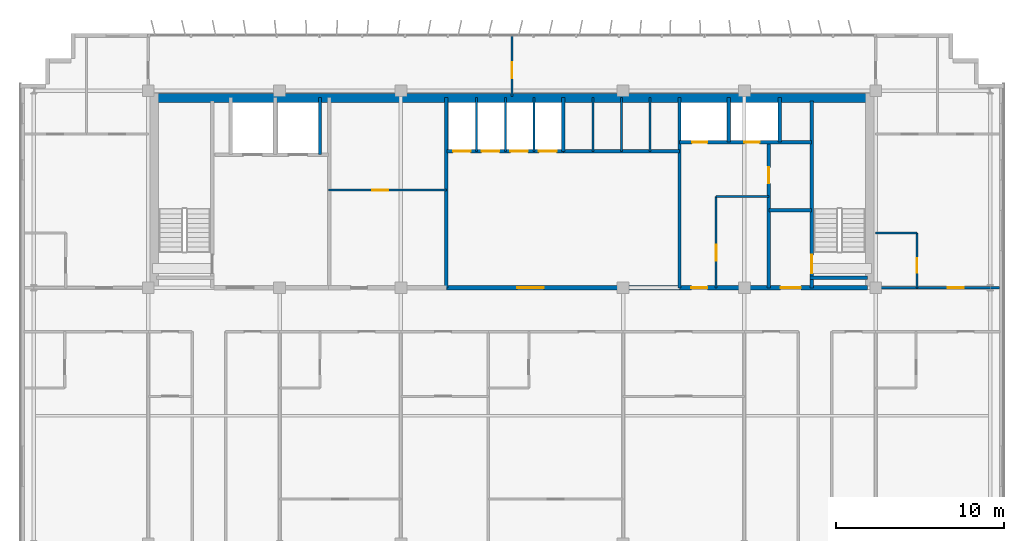
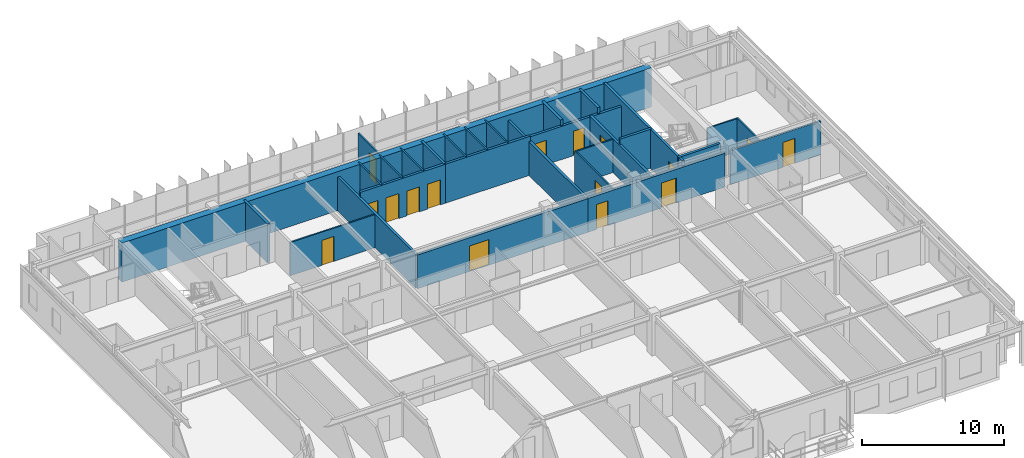
# One storey, part 20 of 23: 29 walls, 16 doors, 16 openings.
"""IFC4 building model written with IfcOpenShell, lengths in metres."""

from ifc_helpers import new_model, si_unit, direction, frame, frame_2d, origin, place, context, subcontext, project, spatial, rectangle, extrude, source, transform, mapped, material, layer, layer_set, type_object, element, fill, save


model = new_model("IFC4")

# Units and contexts
model_context = context("Model", 3, precision=1e-05, world=origin(), true_north=direction((0.0, 1.0)))
body_context = subcontext(model_context, "Body", "Model", "MODEL_VIEW")
ifc_project = project(units=[si_unit("LENGTHUNIT", "METRE"), si_unit("AREAUNIT", "SQUARE_METRE"), si_unit("VOLUMEUNIT", "CUBIC_METRE"), si_unit("PLANEANGLEUNIT", "RADIAN"), si_unit("MASSUNIT", "GRAM", prefix="KILO")], contexts=[model_context])

# Site, building, storey
site_placement = place(None, origin())
site = spatial("IfcSite", under=ifc_project, at=site_placement, CompositionType="ELEMENT")
building_placement = place(site_placement, origin())
building = spatial("IfcBuilding", under=site, at=building_placement, Name="Trelvane Seafront Commons", CompositionType="ELEMENT")
storey_placement = place(building_placement, frame((0.0, 0.0, 212.10009765625)))
storey = spatial("IfcBuildingStorey", under=building, at=storey_placement, Name="L55", CompositionType="ELEMENT", Elevation=212.10009765625)

# Wall, opening, door
ifc_material_1 = material(Name="Concrete C40/50", Category="concrete")
ifc_layer_1 = layer(ifc_material_1, 0.199951171875, Name="ARCH-WALL-FIRE200")
ifc_layer_set_1 = layer_set([ifc_layer_1], Name="Concrete C40/50")
wall_type_1 = type_object("IfcWallType", Name="ARCH-WALL-FIRE200", PredefinedType="PARTITIONING", material=ifc_layer_set_1)
wall_1_placement = place(storey_placement, frame((52.449951171875, 33.39990234375, 0.0), z_axis=(0.0, 0.0, 1.0), x_axis=(0.0, 1.0, 0.0)))
wall_1 = element("IfcWall", 1, at=wall_1_placement, inside=storey, type_object=wall_type_1, Name="W-L55-ST2V-W-031", PredefinedType="PARTITIONING", context=body_context, shape_type="SweptSolid", body=[
    extrude(rectangle(XDim=8.650146484375, YDim=0.199951171875, at=frame_2d((4.3251953125, 0.0))), origin(), (0.0, 0.0, 1.0), 2.909912109375),
])
opening_1_placement = place(wall_1_placement, frame((6.199951171875, 0.0, 0.0)))
opening_1 = element("IfcOpeningElement", 2, at=opening_1_placement, cuts=wall_1, Name="Opening FD-L55-15", PredefinedType="OPENING", context=body_context, shape_type="SweptSolid", body=[
    extrude(rectangle(XDim=0.949951171875, YDim=2.14990234375, at=frame_2d((0.47509765625, 1.074951171875))), frame((0.0, 0.10986328125, 0.0), z_axis=(0.0, -1.0, 0.0), x_axis=(1.0, 0.0, 0.0)), (0.0, 0.0, 1.0), 0.219970703125),
])
ifc_material_2 = material(Name="Powder-coated aluminium frame", Category="aluminium")
door_type_1 = type_object("IfcDoorType", Name="ARCH-DR-FD60-950", OperationType="NOTDEFINED", PredefinedType="DOOR", material=ifc_material_2)
shared_shape_1 = source(origin(), body_context, "Body", "SweptSolid", [
    extrude(rectangle(XDim=0.949951171875, YDim=2.14990234375, at=frame_2d((0.47509765625, 1.074951171875))), frame((0.0, 0.02490234375, 0.0), z_axis=(0.0, -1.0, 0.0), x_axis=(1.0, 0.0, 0.0)), (0.0, 0.0, 1.0), 0.050048828125),
])
door_1_placement = place(opening_1_placement, origin())
door_1 = element("IfcDoor", 3, at=door_1_placement, inside=storey, type_object=door_type_1, Name="L55 Cleaner Store Door", OperationType="SINGLE_SWING_LEFT", OverallHeight=2.14990234375, OverallWidth=0.949951171875, PredefinedType="DOOR", context=body_context, shape_type="MappedRepresentation", body=[
    mapped(shared_shape_1, transform((0.0, 0.0, 0.0), x_axis=(1.0, 0.0, 0.0), y_axis=(0.0, 1.0, 0.0), z_axis=(0.0, 0.0, 1.0), scale=1.0)),
])
fill(opening_1, door_1)

# Wall
wall_2_placement = place(storey_placement, frame((52.449951171875, 38.0, 0.0), z_axis=(0.0, 0.0, 1.0), x_axis=(1.0, 0.0, 0.0)))
element("IfcWall", 4, at=wall_2_placement, inside=storey, type_object=wall_type_1, Name="W-L55-ST2V-N-032", PredefinedType="PARTITIONING", context=body_context, shape_type="SweptSolid", body=[
    extrude(rectangle(XDim=2.550048828125, YDim=0.199951171875, at=frame_2d((1.27490234375, 0.0))), origin(), (0.0, 0.0, 1.0), 3.35986328125),
])

# Wall, opening, door
ifc_layer_2 = layer(ifc_material_1, 0.25, Name="ARCH-WALL-FIRE250")
ifc_layer_set_2 = layer_set([ifc_layer_2], Name="Concrete C40/50")
wall_type_2 = type_object("IfcWallType", Name="ARCH-WALL-FIRE250", PredefinedType="PARTITIONING", material=ifc_layer_set_2)
wall_3_placement = place(storey_placement, frame((33.300048828125, 33.39990234375, 0.0), z_axis=(0.0, 0.0, 1.0), x_axis=(1.0, 0.0, 0.0)))
wall_3 = element("IfcWall", 5, at=wall_3_placement, inside=storey, type_object=wall_type_2, Name="W-L55-CS-PAX-027", PredefinedType="PARTITIONING", context=body_context, shape_type="SweptSolid", body=[
    extrude(rectangle(XDim=13.849853515625, YDim=0.25, at=frame_2d((6.9248046875, 0.0))), origin(), (0.0, 0.0, 1.0), 2.909912109375),
])
opening_2_placement = place(wall_3_placement, frame((4.199951171875, 0.0, 0.0)))
opening_2 = element("IfcOpeningElement", 6, at=opening_2_placement, cuts=wall_3, Name="Opening FD-L55-12", PredefinedType="OPENING", context=body_context, shape_type="SweptSolid", body=[
    extrude(rectangle(XDim=1.60009765625, YDim=2.199951171875, at=frame_2d((0.800048828125, 1.10009765625))), frame((0.0, 0.135009765625, 0.0), z_axis=(0.0, -1.0, 0.0), x_axis=(1.0, 0.0, 0.0)), (0.0, 0.0, 1.0), 0.27001953125),
])
door_type_2 = type_object("IfcDoorType", Name="ARCH-DR-FD60-1600", OperationType="DOUBLE_DOOR_SINGLE_SWING", PredefinedType="DOOR", material=ifc_material_2)
shared_shape_2 = source(origin(), body_context, "Body", "SweptSolid", [
    extrude(rectangle(XDim=1.60009765625, YDim=2.199951171875, at=frame_2d((0.800048828125, 1.10009765625))), frame((0.0, 0.02490234375, 0.0), z_axis=(0.0, -1.0, 0.0), x_axis=(1.0, 0.0, 0.0)), (0.0, 0.0, 1.0), 0.050048828125),
])
door_2_placement = place(opening_2_placement, origin())
door_2 = element("IfcDoor", 7, at=door_2_placement, inside=storey, type_object=door_type_2, Name="L55 Passenger Lift Lobby Double Door", OperationType="DOUBLE_DOOR_SINGLE_SWING", OverallHeight=2.199951171875, OverallWidth=1.60009765625, PredefinedType="DOOR", context=body_context, shape_type="MappedRepresentation", body=[
    mapped(shared_shape_2, transform((0.0, 0.0, 0.0), x_axis=(1.0, 0.0, 0.0), y_axis=(0.0, 1.0, 0.0), z_axis=(0.0, 0.0, 1.0), scale=1.0)),
])
fill(opening_2, door_2)

# Wall, openings, doors
wall_4_placement = place(storey_placement, frame((47.14990234375, 33.39990234375, 0.0), z_axis=(0.0, 0.0, 1.0), x_axis=(1.0, 0.0, 0.0)))
wall_4 = element("IfcWall", 8, at=wall_4_placement, inside=storey, type_object=wall_type_2, Name="W-L55-CS-EAST-035", PredefinedType="PARTITIONING", context=body_context, shape_type="SweptSolid", body=[
    extrude(rectangle(XDim=11.150146484375, YDim=0.25, at=frame_2d((5.5751953125, 0.0))), origin(), (0.0, 0.0, 1.0), 2.909912109375),
])
opening_3_placement = place(wall_4_placement, frame((0.699951171875, 0.0, 0.0)))
opening_3 = element("IfcOpeningElement", 9, at=opening_3_placement, cuts=wall_4, Name="Opening FD-L55-17", PredefinedType="OPENING", context=body_context, shape_type="SweptSolid", body=[
    extrude(rectangle(XDim=0.949951171875, YDim=2.14990234375, at=frame_2d((0.47509765625, 1.074951171875))), frame((0.0, 0.135009765625, 0.0), z_axis=(0.0, -1.0, 0.0), x_axis=(1.0, 0.0, 0.0)), (0.0, 0.0, 1.0), 0.27001953125),
])
opening_4_placement = place(wall_4_placement, frame((6.0, 0.0, 0.0)))
opening_4 = element("IfcOpeningElement", 10, at=opening_4_placement, cuts=wall_4, Name="Opening FD-L55-18", PredefinedType="OPENING", context=body_context, shape_type="SweptSolid", body=[
    extrude(rectangle(XDim=1.199951171875, YDim=2.14990234375, at=frame_2d((0.60009765625, 1.074951171875))), frame((0.0, 0.135009765625, 0.0), z_axis=(0.0, -1.0, 0.0), x_axis=(1.0, 0.0, 0.0)), (0.0, 0.0, 1.0), 0.27001953125),
])
door_3_placement = place(opening_3_placement, origin())
door_3 = element("IfcDoor", 11, at=door_3_placement, inside=storey, type_object=door_type_1, Name="L55 Core Service Lobby Door", OperationType="SINGLE_SWING_LEFT", OverallHeight=2.14990234375, OverallWidth=0.949951171875, PredefinedType="DOOR", context=body_context, shape_type="MappedRepresentation", body=[
    mapped(shared_shape_1, transform((0.0, 0.0, 0.0), x_axis=(1.0, 0.0, 0.0), y_axis=(0.0, 1.0, 0.0), z_axis=(0.0, 0.0, 1.0), scale=1.0)),
])
fill(opening_3, door_3)
door_type_3 = type_object("IfcDoorType", Name="ARCH-DR-FD60-1200", OperationType="NOTDEFINED", PredefinedType="DOOR", material=ifc_material_2)
shared_shape_3 = source(origin(), body_context, "Body", "SweptSolid", [
    extrude(rectangle(XDim=1.199951171875, YDim=2.14990234375, at=frame_2d((0.60009765625, 1.074951171875))), frame((0.0, 0.02490234375, 0.0), z_axis=(0.0, -1.0, 0.0), x_axis=(1.0, 0.0, 0.0)), (0.0, 0.0, 1.0), 0.050048828125),
])
door_4_placement = place(opening_4_placement, origin())
door_4 = element("IfcDoor", 12, at=door_4_placement, inside=storey, type_object=door_type_3, Name="L55 East Stair Vestibule Fire Door", OperationType="SINGLE_SWING_RIGHT", OverallHeight=2.14990234375, OverallWidth=1.199951171875, PredefinedType="DOOR", context=body_context, shape_type="MappedRepresentation", body=[
    mapped(shared_shape_3, transform((0.0, 0.0, 0.0), x_axis=(1.0, 0.0, 0.0), y_axis=(0.0, 1.0, 0.0), z_axis=(0.0, 0.0, 1.0), scale=1.0)),
])
fill(opening_4, door_4)

# Wall, opening, door
ifc_material_3 = material(Name="Gypsum Drywall Acoustic Partition")
ifc_layer_3 = layer(ifc_material_3, 0.1201171875, Name="ARCH-WALL-PART120")
ifc_layer_set_3 = layer_set([ifc_layer_3], Name="Gypsum Drywall Acoustic Partition")
wall_type_3 = type_object("IfcWallType", Name="ARCH-WALL-PART120", PredefinedType="PARTITIONING", material=ifc_layer_set_3)
wall_5_placement = place(storey_placement, frame((26.300048828125, 39.199951171875, 0.0), z_axis=(0.0, 0.0, 1.0), x_axis=(1.0, 0.0, 0.0)))
wall_5 = element("IfcWall", 13, at=wall_5_placement, inside=storey, type_object=wall_type_3, Name="W-L55-FREED-PL-MID-014", PredefinedType="PARTITIONING", context=body_context, shape_type="SweptSolid", body=[
    extrude(rectangle(XDim=7.0, YDim=0.1201171875, at=frame_2d((3.5, 0.0))), origin(), (0.0, 0.0, 1.0), 2.85986328125),
])
opening_5_placement = place(wall_5_placement, frame((2.60009765625, 0.0, 0.0)))
opening_5 = element("IfcOpeningElement", 14, at=opening_5_placement, cuts=wall_5, Name="Opening D-L55-06", PredefinedType="OPENING", context=body_context, shape_type="SweptSolid", body=[
    extrude(rectangle(XDim=0.949951171875, YDim=2.14990234375, at=frame_2d((0.47509765625, 1.074951171875))), frame((0.0, 0.070068359375, 0.0), z_axis=(0.0, -1.0, 0.0), x_axis=(1.0, 0.0, 0.0)), (0.0, 0.0, 1.0), 0.14013671875),
])
ifc_material_4 = material(Name="Acoustic timber door leaf", Category="wood")
door_type_4 = type_object("IfcDoorType", Name="ARCH-DR-INT950", OperationType="NOTDEFINED", PredefinedType="DOOR", material=ifc_material_4)
door_5_placement = place(opening_5_placement, origin())
door_5 = element("IfcDoor", 15, at=door_5_placement, inside=storey, type_object=door_type_4, Name="L55 Housekeeping Store Door", OperationType="SINGLE_SWING_RIGHT", OverallHeight=2.14990234375, OverallWidth=0.949951171875, PredefinedType="DOOR", context=body_context, shape_type="MappedRepresentation", body=[
    mapped(shared_shape_1, transform((0.0, 0.0, 0.0), x_axis=(1.0, 0.0, 0.0), y_axis=(0.0, 1.0, 0.0), z_axis=(0.0, 0.0, 1.0), scale=1.0)),
])
fill(opening_5, door_5)

# Walls
for number, where, z_axis, x_axis, name in (
    (16, (35.10009765625, 41.5, 0.0), (0.0, 0.0, 1.0), (0.0, 1.0, 0.0), "W-L55-PM-DIV1-017"),
    (17, (36.800048828125, 41.5, 0.0), (0.0, 0.0, 1.0), (0.0, 1.0, 0.0), "W-L55-PM-DIV2-018"),
    (18, (38.5, 41.5, 0.0), (0.0, 0.0, 1.0), (0.0, 1.0, 0.0), "W-L55-PM-DIV3-019"),
    (19, (42.0, 41.5, 0.0), (0.0, 0.0, 1.0), (0.0, 1.0, 0.0), "W-L55-PH-DIV1-022"),
    (20, (43.699951171875, 41.5, 0.0), (0.0, 0.0, 1.0), (0.0, 1.0, 0.0), "W-L55-PH-DIV2-023"),
    (21, (45.39990234375, 41.5, 0.0), (0.0, 0.0, 1.0), (0.0, 1.0, 0.0), "W-L55-PH-DIV3-024"),
):
    element("IfcWall", number, at=place(storey_placement, frame(where, z_axis=z_axis, x_axis=x_axis)), inside=storey, type_object=wall_type_3, Name=name, PredefinedType="PARTITIONING", context=body_context, shape_type="SweptSolid", body=[
        extrude(rectangle(XDim=3.199951171875, YDim=0.1201171875, at=frame_2d((1.60009765625, 0.0))), origin(), (0.0, 0.0, 1.0), 3.35986328125),
    ])

# Wall, opening, door
wall_6_placement = place(storey_placement, frame((49.320068359375, 33.39990234375, 0.0), z_axis=(0.0, 0.0, 1.0), x_axis=(0.0, 1.0, 0.0)))
wall_6 = element("IfcWall", 22, at=wall_6_placement, inside=storey, type_object=wall_type_3, Name="W-L55-CYC2-V-033", PredefinedType="PARTITIONING", context=body_context, shape_type="SweptSolid", body=[
    extrude(rectangle(XDim=5.420166015625, YDim=0.1201171875, at=frame_2d((2.7099609375, 0.0))), origin(), (0.0, 0.0, 1.0), 2.909912109375),
])
opening_6_placement = place(wall_6_placement, frame((1.60009765625, 0.0, 0.0)))
opening_6 = element("IfcOpeningElement", 23, at=opening_6_placement, cuts=wall_6, Name="Opening D-L55-16", PredefinedType="OPENING", context=body_context, shape_type="SweptSolid", body=[
    extrude(rectangle(XDim=0.949951171875, YDim=2.14990234375, at=frame_2d((0.47509765625, 1.074951171875))), frame((0.0, 0.070068359375, 0.0), z_axis=(0.0, -1.0, 0.0), x_axis=(1.0, 0.0, 0.0)), (0.0, 0.0, 1.0), 0.14013671875),
])
door_6_placement = place(opening_6_placement, origin())
door_6 = element("IfcDoor", 24, at=door_6_placement, inside=storey, type_object=door_type_4, Name="L55 Accessible WC Door", OperationType="SINGLE_SWING_RIGHT", OverallHeight=2.14990234375, OverallWidth=0.949951171875, PredefinedType="DOOR", context=body_context, shape_type="MappedRepresentation", body=[
    mapped(shared_shape_1, transform((0.0, 0.0, 0.0), x_axis=(1.0, 0.0, 0.0), y_axis=(0.0, 1.0, 0.0), z_axis=(0.0, 0.0, 1.0), scale=1.0)),
])
fill(opening_6, door_6)

# Wall
wall_7_placement = place(storey_placement, frame((49.320068359375, 38.820068359375, 0.0), z_axis=(0.0, 0.0, 1.0), x_axis=(1.0, 0.0, 0.0)))
element("IfcWall", 25, at=wall_7_placement, inside=storey, type_object=wall_type_3, Name="W-L55-CYC2-H-034", PredefinedType="PARTITIONING", context=body_context, shape_type="SweptSolid", body=[
    extrude(rectangle(XDim=3.1298828125, YDim=0.1201171875, at=frame_2d((1.56494140625, 0.0))), origin(), (0.0, 0.0, 1.0), 2.85986328125),
])

# Wall, opening, door
wall_8_placement = place(storey_placement, frame((61.25, 33.39990234375, 0.0), z_axis=(0.0, 0.0, 1.0), x_axis=(0.0, 1.0, 0.0)))
wall_8 = element("IfcWall", 26, at=wall_8_placement, inside=storey, type_object=wall_type_3, Name="W-L55-NE-BE-042", PredefinedType="PARTITIONING", context=body_context, shape_type="SweptSolid", body=[
    extrude(rectangle(XDim=3.25, YDim=0.1201171875, at=frame_2d((1.625, 0.0))), origin(), (0.0, 0.0, 1.0), 2.909912109375),
])
opening_7_placement = place(wall_8_placement, frame((0.89990234375, 0.0, 0.0)))
opening_7 = element("IfcOpeningElement", 27, at=opening_7_placement, cuts=wall_8, Name="Opening D-L55-23", PredefinedType="OPENING", context=body_context, shape_type="SweptSolid", body=[
    extrude(rectangle(XDim=0.85009765625, YDim=2.10009765625, at=frame_2d((0.425048828125, 1.050048828125))), frame((0.0, 0.070068359375, 0.0), z_axis=(0.0, -1.0, 0.0), x_axis=(1.0, 0.0, 0.0)), (0.0, 0.0, 1.0), 0.14013671875),
])
door_type_5 = type_object("IfcDoorType", Name="ARCH-DR-INT850", OperationType="NOTDEFINED", PredefinedType="DOOR", material=ifc_material_4)
shared_shape_4 = source(origin(), body_context, "Body", "SweptSolid", [
    extrude(rectangle(XDim=0.85009765625, YDim=2.10009765625, at=frame_2d((0.425048828125, 1.050048828125))), frame((0.0, 0.02490234375, 0.0), z_axis=(0.0, -1.0, 0.0), x_axis=(1.0, 0.0, 0.0)), (0.0, 0.0, 1.0), 0.050048828125),
])
door_7_placement = place(opening_7_placement, origin())
door_7 = element("IfcDoor", 28, at=door_7_placement, inside=storey, type_object=door_type_5, Name="L55 Door 23", OperationType="SINGLE_SWING_LEFT", OverallHeight=2.10009765625, OverallWidth=0.85009765625, PredefinedType="DOOR", context=body_context, shape_type="MappedRepresentation", body=[
    mapped(shared_shape_4, transform((0.0, 0.0, 0.0), x_axis=(1.0, 0.0, 0.0), y_axis=(0.0, 1.0, 0.0), z_axis=(0.0, 0.0, 1.0), scale=1.0)),
])
fill(opening_7, door_7)

# Wall
wall_9_placement = place(storey_placement, frame((58.800048828125, 36.64990234375, 0.0), z_axis=(0.0, 0.0, 1.0), x_axis=(1.0, 0.0, 0.0)))
element("IfcWall", 29, at=wall_9_placement, inside=storey, type_object=wall_type_3, Name="W-L55-NE-BN-043", PredefinedType="PARTITIONING", context=body_context, shape_type="SweptSolid", body=[
    extrude(rectangle(XDim=2.449951171875, YDim=0.1201171875, at=frame_2d((1.22509765625, 0.0))), origin(), (0.0, 0.0, 1.0), 2.85986328125),
])

# Wall, opening, door
wall_10_placement = place(storey_placement, frame((37.199951171875, 44.75, 0.0), z_axis=(0.0, 0.0, 1.0), x_axis=(0.0, 1.0, 0.0)))
wall_10 = element("IfcWall", 30, at=wall_10_placement, inside=storey, type_object=wall_type_3, Name="W-L55-N-MID-DV-048", PredefinedType="PARTITIONING", context=body_context, shape_type="SweptSolid", body=[
    extrude(rectangle(XDim=3.610107421875, YDim=0.1201171875, at=frame_2d((1.80517578125, 0.0))), origin(), (0.0, 0.0, 1.0), 2.909912109375),
])
opening_8_placement = place(wall_10_placement, frame((1.10009765625, 0.0, 0.0)))
opening_8 = element("IfcOpeningElement", 31, at=opening_8_placement, cuts=wall_10, Name="Opening D-L55-27", PredefinedType="OPENING", context=body_context, shape_type="SweptSolid", body=[
    extrude(rectangle(XDim=0.949951171875, YDim=2.14990234375, at=frame_2d((0.47509765625, 1.074951171875))), frame((0.0, 0.070068359375, 0.0), z_axis=(0.0, -1.0, 0.0), x_axis=(1.0, 0.0, 0.0)), (0.0, 0.0, 1.0), 0.14013671875),
])
door_8_placement = place(opening_8_placement, origin())
door_8 = element("IfcDoor", 32, at=door_8_placement, inside=storey, type_object=door_type_4, Name="L55 Door 27", OperationType="SINGLE_SWING_LEFT", OverallHeight=2.14990234375, OverallWidth=0.949951171875, PredefinedType="DOOR", context=body_context, shape_type="MappedRepresentation", body=[
    mapped(shared_shape_1, transform((0.0, 0.0, 0.0), x_axis=(1.0, 0.0, 0.0), y_axis=(0.0, 1.0, 0.0), z_axis=(0.0, 0.0, 1.0), scale=1.0)),
])
fill(opening_8, door_8)

ifc_layer_4 = layer(ifc_material_3, 0.14990234375, Name="ARCH-WALL-PART150")
ifc_layer_set_4 = layer_set([ifc_layer_4], Name="Gypsum Drywall Acoustic Partition")
wall_type_4 = type_object("IfcWallType", Name="ARCH-WALL-PART150", PredefinedType="PARTITIONING", material=ifc_layer_set_4)
wall_11_placement = place(storey_placement, frame((58.800048828125, 33.39990234375, 0.0), z_axis=(0.0, 0.0, 1.0), x_axis=(1.0, 0.0, 0.0)))
wall_11 = element("IfcWall", 33, at=wall_11_placement, inside=storey, type_object=wall_type_4, Name="W-L55-NE-ENT-047", PredefinedType="PARTITIONING", context=body_context, shape_type="SweptSolid", body=[
    extrude(rectangle(XDim=7.349853515625, YDim=0.14990234375, at=frame_2d((3.6748046875, 0.0))), origin(), (0.0, 0.0, 1.0), 2.909912109375),
])
opening_9_placement = place(wall_11_placement, frame((4.27490234375, 0.0, 0.0)))
opening_9 = element("IfcOpeningElement", 34, at=opening_9_placement, cuts=wall_11, Name="Opening FD-L55-26", PredefinedType="OPENING", context=body_context, shape_type="SweptSolid", body=[
    extrude(rectangle(XDim=0.949951171875, YDim=2.14990234375, at=frame_2d((0.47509765625, 1.074951171875))), frame((0.0, 0.0849609375, 0.0), z_axis=(0.0, -1.0, 0.0), x_axis=(1.0, 0.0, 0.0)), (0.0, 0.0, 1.0), 0.169921875),
])
door_9_placement = place(opening_9_placement, origin())
door_9 = element("IfcDoor", 35, at=door_9_placement, inside=storey, type_object=door_type_1, Name="L55 NE Flat Entrance Door", OperationType="SINGLE_SWING_RIGHT", OverallHeight=2.14990234375, OverallWidth=0.949951171875, PredefinedType="DOOR", context=body_context, shape_type="MappedRepresentation", body=[
    mapped(shared_shape_1, transform((0.0, 0.0, 0.0), x_axis=(1.0, 0.0, 0.0), y_axis=(0.0, 1.0, 0.0), z_axis=(0.0, 0.0, 1.0), scale=1.0)),
])
fill(opening_9, door_9)

# Walls
ifc_layer_5 = layer(ifc_material_1, 0.199951171875, Name="ARCH-WALL-SHAFT200")
ifc_layer_set_5 = layer_set([ifc_layer_5], Name="Concrete C40/50")
wall_type_5 = type_object("IfcWallType", Name="ARCH-WALL-SHAFT200", PredefinedType="SOLIDWALL", material=ifc_layer_set_5)
wall_12_placement = place(storey_placement, frame((25.800048828125, 41.300048828125, 0.0), z_axis=(0.0, 0.0, 1.0), x_axis=(0.0, 1.0, 0.0)))
element("IfcWall", 36, at=wall_12_placement, inside=storey, type_object=wall_type_5, Name="W-L55-FFL-SH-E-011", PredefinedType="SOLIDWALL", context=body_context, shape_type="SweptSolid", body=[
    extrude(rectangle(XDim=3.39990234375, YDim=0.199951171875, at=frame_2d((1.699951171875, 0.0))), origin(), (0.0, 0.0, 1.0), 3.35986328125),
])
wall_13_placement = place(storey_placement, frame((33.300048828125, 33.39990234375, 0.0), z_axis=(0.0, 0.0, 1.0), x_axis=(0.0, 1.0, 0.0)))
element("IfcWall", 37, at=wall_13_placement, inside=storey, type_object=wall_type_5, Name="W-L55-FREED-PL-E-015", PredefinedType="SOLIDWALL", context=body_context, shape_type="SweptSolid", body=[
    extrude(rectangle(XDim=11.300048828125, YDim=0.199951171875, at=frame_2d((5.64990234375, 0.0))), origin(), (0.0, 0.0, 1.0), 2.909912109375),
])

# Wall, openings, doors
wall_14_placement = place(storey_placement, frame((33.35009765625, 41.5, 0.0), z_axis=(0.0, 0.0, 1.0), x_axis=(1.0, 0.0, 0.0)))
wall_14 = element("IfcWall", 38, at=wall_14_placement, inside=storey, type_object=wall_type_5, Name="W-L55-PM-FRONT-016", PredefinedType="SOLIDWALL", context=body_context, shape_type="SweptSolid", body=[
    extrude(rectangle(XDim=6.89990234375, YDim=0.199951171875, at=frame_2d((3.449951171875, 0.0))), origin(), (0.0, 0.0, 1.0), 3.35986328125),
])
opening_10_placement = place(wall_14_placement, frame((0.35009765625, 0.0, 0.0)))
opening_10 = element("IfcOpeningElement", 39, at=opening_10_placement, cuts=wall_14, Name="Opening LD-PM1-L55", PredefinedType="OPENING", context=body_context, shape_type="SweptSolid", body=[
    extrude(rectangle(XDim=1.050048828125, YDim=2.14990234375, at=frame_2d((0.52490234375, 1.074951171875))), frame((0.0, 0.10986328125, 0.0), z_axis=(0.0, -1.0, 0.0), x_axis=(1.0, 0.0, 0.0)), (0.0, 0.0, 1.0), 0.219970703125),
])
opening_11_placement = place(wall_14_placement, frame((2.050048828125, 0.0, 0.0)))
opening_11 = element("IfcOpeningElement", 40, at=opening_11_placement, cuts=wall_14, Name="Opening LD-PM2-L55", PredefinedType="OPENING", context=body_context, shape_type="SweptSolid", body=[
    extrude(rectangle(XDim=1.050048828125, YDim=2.14990234375, at=frame_2d((0.52490234375, 1.074951171875))), frame((0.0, 0.10986328125, 0.0), z_axis=(0.0, -1.0, 0.0), x_axis=(1.0, 0.0, 0.0)), (0.0, 0.0, 1.0), 0.219970703125),
])
opening_12_placement = place(wall_14_placement, frame((3.75, 0.0, 0.0)))
opening_12 = element("IfcOpeningElement", 41, at=opening_12_placement, cuts=wall_14, Name="Opening LD-PM3-L55", PredefinedType="OPENING", context=body_context, shape_type="SweptSolid", body=[
    extrude(rectangle(XDim=1.050048828125, YDim=2.14990234375, at=frame_2d((0.52490234375, 1.074951171875))), frame((0.0, 0.10986328125, 0.0), z_axis=(0.0, -1.0, 0.0), x_axis=(1.0, 0.0, 0.0)), (0.0, 0.0, 1.0), 0.219970703125),
])
opening_13_placement = place(wall_14_placement, frame((5.449951171875, 0.0, 0.0)))
opening_13 = element("IfcOpeningElement", 42, at=opening_13_placement, cuts=wall_14, Name="Opening LD-PM4-L55", PredefinedType="OPENING", context=body_context, shape_type="SweptSolid", body=[
    extrude(rectangle(XDim=1.050048828125, YDim=2.14990234375, at=frame_2d((0.52490234375, 1.074951171875))), frame((0.0, 0.10986328125, 0.0), z_axis=(0.0, -1.0, 0.0), x_axis=(1.0, 0.0, 0.0)), (0.0, 0.0, 1.0), 0.219970703125),
])
ifc_material_5 = material(Name="Stainless steel balustrade", Category="steel")
door_type_6 = type_object("IfcDoorType", Name="ARCH-DR-LD1050", OperationType="DOUBLE_DOOR_SLIDING", PredefinedType="DOOR", material=ifc_material_5)
shared_shape_5 = source(origin(), body_context, "Body", "SweptSolid", [
    extrude(rectangle(XDim=1.050048828125, YDim=2.14990234375, at=frame_2d((0.52490234375, 1.074951171875))), frame((0.0, 0.02490234375, 0.0), z_axis=(0.0, -1.0, 0.0), x_axis=(1.0, 0.0, 0.0)), (0.0, 0.0, 1.0), 0.050048828125),
])
door_10_placement = place(opening_10_placement, origin())
door_10 = element("IfcDoor", 43, at=door_10_placement, inside=storey, type_object=door_type_6, Name="L55 Passenger Lift PM-1 Landing Door", OperationType="DOUBLE_DOOR_SLIDING", OverallHeight=2.14990234375, OverallWidth=1.050048828125, PredefinedType="DOOR", context=body_context, shape_type="MappedRepresentation", body=[
    mapped(shared_shape_5, transform((0.0, 0.0, 0.0), x_axis=(1.0, 0.0, 0.0), y_axis=(0.0, 1.0, 0.0), z_axis=(0.0, 0.0, 1.0), scale=1.0)),
])
fill(opening_10, door_10)
door_11_placement = place(opening_11_placement, origin())
door_11 = element("IfcDoor", 44, at=door_11_placement, inside=storey, type_object=door_type_6, Name="L55 Passenger Lift PM-2 Landing Door", OperationType="DOUBLE_DOOR_SLIDING", OverallHeight=2.14990234375, OverallWidth=1.050048828125, PredefinedType="DOOR", context=body_context, shape_type="MappedRepresentation", body=[
    mapped(shared_shape_5, transform((0.0, 0.0, 0.0), x_axis=(1.0, 0.0, 0.0), y_axis=(0.0, 1.0, 0.0), z_axis=(0.0, 0.0, 1.0), scale=1.0)),
])
fill(opening_11, door_11)
door_12_placement = place(opening_12_placement, origin())
door_12 = element("IfcDoor", 45, at=door_12_placement, inside=storey, type_object=door_type_6, Name="L55 Passenger Lift PM-3 Landing Door", OperationType="DOUBLE_DOOR_SLIDING", OverallHeight=2.14990234375, OverallWidth=1.050048828125, PredefinedType="DOOR", context=body_context, shape_type="MappedRepresentation", body=[
    mapped(shared_shape_5, transform((0.0, 0.0, 0.0), x_axis=(1.0, 0.0, 0.0), y_axis=(0.0, 1.0, 0.0), z_axis=(0.0, 0.0, 1.0), scale=1.0)),
])
fill(opening_12, door_12)
door_13_placement = place(opening_13_placement, origin())
door_13 = element("IfcDoor", 46, at=door_13_placement, inside=storey, type_object=door_type_6, Name="L55 Passenger Lift PM-4 Landing Door", OperationType="DOUBLE_DOOR_SLIDING", OverallHeight=2.14990234375, OverallWidth=1.050048828125, PredefinedType="DOOR", context=body_context, shape_type="MappedRepresentation", body=[
    mapped(shared_shape_5, transform((0.0, 0.0, 0.0), x_axis=(1.0, 0.0, 0.0), y_axis=(0.0, 1.0, 0.0), z_axis=(0.0, 0.0, 1.0), scale=1.0)),
])
fill(opening_13, door_13)

# Walls
wall_15_placement = place(storey_placement, frame((40.25, 41.5, 0.0), z_axis=(0.0, 0.0, 1.0), x_axis=(1.0, 0.0, 0.0)))
element("IfcWall", 47, at=wall_15_placement, inside=storey, type_object=wall_type_5, Name="W-L55-PH-FRONT-020", PredefinedType="SOLIDWALL", context=body_context, shape_type="SweptSolid", body=[
    extrude(rectangle(XDim=6.89990234375, YDim=0.199951171875, at=frame_2d((3.449951171875, 0.0))), origin(), (0.0, 0.0, 1.0), 3.35986328125),
])
wall_16_placement = place(storey_placement, frame((40.25, 41.5, 0.0), z_axis=(0.0, 0.0, 1.0), x_axis=(0.0, 1.0, 0.0)))
element("IfcWall", 48, at=wall_16_placement, inside=storey, type_object=wall_type_5, Name="W-L55-PH-WEST-SH-021", PredefinedType="SOLIDWALL", context=body_context, shape_type="SweptSolid", body=[
    extrude(rectangle(XDim=3.199951171875, YDim=0.199951171875, at=frame_2d((1.60009765625, 0.0))), origin(), (0.0, 0.0, 1.0), 3.35986328125),
])
wall_17_placement = place(storey_placement, frame((47.14990234375, 33.39990234375, 0.0), z_axis=(0.0, 0.0, 1.0), x_axis=(0.0, 1.0, 0.0)))
element("IfcWall", 49, at=wall_17_placement, inside=storey, type_object=wall_type_5, Name="W-L55-PH-EAST-025", PredefinedType="SOLIDWALL", context=body_context, shape_type="SweptSolid", body=[
    extrude(rectangle(XDim=11.300048828125, YDim=0.199951171875, at=frame_2d((5.64990234375, 0.0))), origin(), (0.0, 0.0, 1.0), 2.909912109375),
])

# Wall, openings, doors
wall_18_placement = place(storey_placement, frame((47.14990234375, 42.050048828125, 0.0), z_axis=(0.0, 0.0, 1.0), x_axis=(1.0, 0.0, 0.0)))
wall_18 = element("IfcWall", 50, at=wall_18_placement, inside=storey, type_object=wall_type_5, Name="W-L55-RSR-S-028", PredefinedType="SOLIDWALL", context=body_context, shape_type="SweptSolid", body=[
    extrude(rectangle(XDim=7.85009765625, YDim=0.199951171875, at=frame_2d((3.925048828125, 0.0))), origin(), (0.0, 0.0, 1.0), 2.85986328125),
])
opening_14_placement = place(wall_18_placement, frame((0.75, 0.0, 0.0)))
opening_14 = element("IfcOpeningElement", 51, at=opening_14_placement, cuts=wall_18, Name="Opening FD-L55-13", PredefinedType="OPENING", context=body_context, shape_type="SweptSolid", body=[
    extrude(rectangle(XDim=0.89990234375, YDim=2.10009765625, at=frame_2d((0.449951171875, 1.050048828125))), frame((0.0, 0.10986328125, 0.0), z_axis=(0.0, -1.0, 0.0), x_axis=(1.0, 0.0, 0.0)), (0.0, 0.0, 1.0), 0.219970703125),
])
opening_15_placement = place(wall_18_placement, frame((3.85009765625, 0.0, 0.0)))
opening_15 = element("IfcOpeningElement", 52, at=opening_15_placement, cuts=wall_18, Name="Opening FD-L55-14", PredefinedType="OPENING", context=body_context, shape_type="SweptSolid", body=[
    extrude(rectangle(XDim=0.89990234375, YDim=2.10009765625, at=frame_2d((0.449951171875, 1.050048828125))), frame((0.0, 0.10986328125, 0.0), z_axis=(0.0, -1.0, 0.0), x_axis=(1.0, 0.0, 0.0)), (0.0, 0.0, 1.0), 0.219970703125),
])
door_type_7 = type_object("IfcDoorType", Name="ARCH-DR-FD60-900", OperationType="NOTDEFINED", PredefinedType="DOOR", material=ifc_material_2)
shared_shape_6 = source(origin(), body_context, "Body", "SweptSolid", [
    extrude(rectangle(XDim=0.89990234375, YDim=2.10009765625, at=frame_2d((0.449951171875, 1.050048828125))), frame((0.0, 0.02490234375, 0.0), z_axis=(0.0, -1.0, 0.0), x_axis=(1.0, 0.0, 0.0)), (0.0, 0.0, 1.0), 0.050048828125),
])
door_14_placement = place(opening_14_placement, origin())
door_14 = element("IfcDoor", 53, at=door_14_placement, inside=storey, type_object=door_type_7, Name="L55 Electrical Riser Access Door", OperationType="SINGLE_SWING_LEFT", OverallHeight=2.10009765625, OverallWidth=0.89990234375, PredefinedType="DOOR", context=body_context, shape_type="MappedRepresentation", body=[
    mapped(shared_shape_6, transform((0.0, 0.0, 0.0), x_axis=(1.0, 0.0, 0.0), y_axis=(0.0, 1.0, 0.0), z_axis=(0.0, 0.0, 1.0), scale=1.0)),
])
fill(opening_14, door_14)
door_15_placement = place(opening_15_placement, origin())
door_15 = element("IfcDoor", 54, at=door_15_placement, inside=storey, type_object=door_type_7, Name="L55 Mechanical Riser Access Door", OperationType="SINGLE_SWING_RIGHT", OverallHeight=2.10009765625, OverallWidth=0.89990234375, PredefinedType="DOOR", context=body_context, shape_type="MappedRepresentation", body=[
    mapped(shared_shape_6, transform((0.0, 0.0, 0.0), x_axis=(1.0, 0.0, 0.0), y_axis=(0.0, 1.0, 0.0), z_axis=(0.0, 0.0, 1.0), scale=1.0)),
])
fill(opening_15, door_15)

# Walls
for number, where, z_axis, x_axis, name in (
    (55, (50.080078125, 42.050048828125, 0.0), (0.0, 0.0, 1.0), (0.0, 1.0, 0.0), "W-L55-RSR-DIV-029"),
    (56, (53.10009765625, 42.050048828125, 0.0), (0.0, 0.0, 1.0), (0.0, 1.0, 0.0), "W-L55-RSR-E-030"),
):
    element("IfcWall", number, at=place(storey_placement, frame(where, z_axis=z_axis, x_axis=x_axis)), inside=storey, type_object=wall_type_5, Name=name, PredefinedType="SOLIDWALL", context=body_context, shape_type="SweptSolid", body=[
        extrude(rectangle(XDim=2.64990234375, YDim=0.199951171875, at=frame_2d((1.324951171875, 0.0))), origin(), (0.0, 0.0, 1.0), 3.35986328125),
    ])
ifc_material_6 = material(Name="Concrete C50/60", Category="concrete")
ifc_layer_6 = layer(ifc_material_6, 0.550048828125, Name="STR-WALL-CORE550")
ifc_layer_set_6 = layer_set([ifc_layer_6], Name="Concrete C50/60")
wall_type_6 = type_object("IfcWallType", Name="STR-WALL-CORE550", PredefinedType="SHEAR", material=ifc_layer_set_6)
wall_19_placement = place(storey_placement, frame((15.64990234375, 44.675048828125, 0.0), z_axis=(0.0, 0.0, 1.0), x_axis=(1.0, 0.0, 0.0)))
element("IfcWall", 57, at=wall_19_placement, inside=storey, type_object=wall_type_6, Name="W-L55-CN-ALL-001", PredefinedType="SHEAR", context=body_context, shape_type="SweptSolid", body=[
    extrude(rectangle(XDim=43.10009765625, YDim=0.550048828125, at=frame_2d((21.550048828125, 0.0))), origin(), (0.0, 0.0, 1.0), 3.35986328125),
])
ifc_layer_7 = layer(ifc_material_6, 0.199951171875, Name="STR-WALL-STAIR200")
ifc_layer_set_7 = layer_set([ifc_layer_7], Name="Concrete C50/60")
wall_type_7 = type_object("IfcWallType", Name="STR-WALL-STAIR200", PredefinedType="SHEAR", material=ifc_layer_set_7)
wall_20_placement = place(storey_placement, frame((54.89990234375, 34.0, 0.0), z_axis=(0.0, 0.0, 1.0), x_axis=(1.0, 0.0, 0.0)))
element("IfcWall", 58, at=wall_20_placement, inside=storey, type_object=wall_type_7, Name="W-L55-ST2-S-006", PredefinedType="SHEAR", context=body_context, shape_type="SweptSolid", body=[
    extrude(rectangle(XDim=3.400146484375, YDim=0.199951171875, at=frame_2d((1.7001953125, 0.0))), origin(), (0.0, 0.0, 1.0), 3.35986328125),
])

# Wall, opening, door
wall_21_placement = place(storey_placement, frame((55.0, 33.39990234375, 0.0), z_axis=(0.0, 0.0, 1.0), x_axis=(0.0, 1.0, 0.0)))
wall_21 = element("IfcWall", 59, at=wall_21_placement, inside=storey, type_object=wall_type_7, Name="W-L55-ST2-W-007", PredefinedType="SHEAR", context=body_context, shape_type="SweptSolid", body=[
    extrude(rectangle(XDim=11.10009765625, YDim=0.199951171875, at=frame_2d((5.550048828125, 0.0))), origin(), (0.0, 0.0, 1.0), 3.35986328125),
])
opening_16_placement = place(wall_21_placement, frame((0.85009765625, 0.0, 0.0)))
opening_16 = element("IfcOpeningElement", 60, at=opening_16_placement, cuts=wall_21, Name="Opening ST-D2-L55", PredefinedType="OPENING", context=body_context, shape_type="SweptSolid", body=[
    extrude(rectangle(XDim=1.10009765625, YDim=2.14990234375, at=frame_2d((0.550048828125, 1.074951171875))), frame((0.0, 0.10986328125, 0.0), z_axis=(0.0, -1.0, 0.0), x_axis=(1.0, 0.0, 0.0)), (0.0, 0.0, 1.0), 0.219970703125),
])
door_type_8 = type_object("IfcDoorType", Name="ARCH-DR-FD90-1100", OperationType="NOTDEFINED", PredefinedType="DOOR", material=ifc_material_2)
shared_shape_7 = source(origin(), body_context, "Body", "SweptSolid", [
    extrude(rectangle(XDim=1.10009765625, YDim=2.14990234375, at=frame_2d((0.550048828125, 1.074951171875))), frame((0.0, 0.02490234375, 0.0), z_axis=(0.0, -1.0, 0.0), x_axis=(1.0, 0.0, 0.0)), (0.0, 0.0, 1.0), 0.050048828125),
])
door_16_placement = place(opening_16_placement, origin())
door_16 = element("IfcDoor", 61, at=door_16_placement, inside=storey, type_object=door_type_8, Name="L55 Stair ST-2 Vestibule Fire Door", OperationType="SINGLE_SWING_RIGHT", OverallHeight=2.14990234375, OverallWidth=1.10009765625, PredefinedType="DOOR", context=body_context, shape_type="MappedRepresentation", body=[
    mapped(shared_shape_7, transform((0.0, 0.0, 0.0), x_axis=(1.0, 0.0, 0.0), y_axis=(0.0, 1.0, 0.0), z_axis=(0.0, 0.0, 1.0), scale=1.0)),
])
fill(opening_16, door_16)

save(model, "model.ifc")
